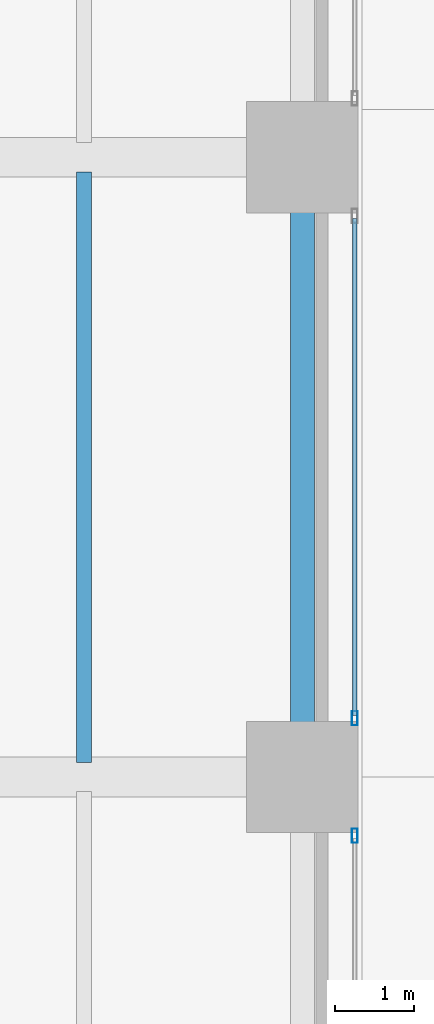
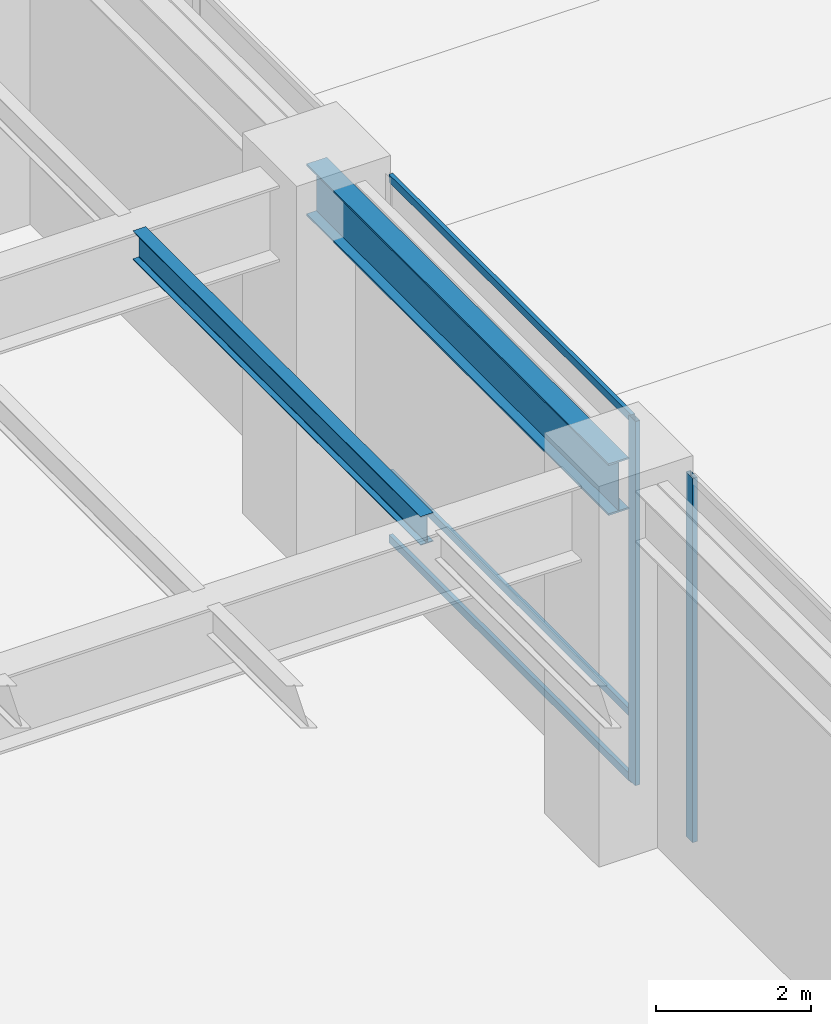
# One storey, part 4 of 28: 5 members, 2 beams, 2 elements without a shape of their own.
"""IFC4 building model written with IfcOpenShell, lengths in metres."""

from ifc_helpers import new_model, si_unit, direction, frame, origin, origin_2d, place, context, subcontext, project, spatial, hollow_rectangle, i_section, extrude, source, transform, mapped, material, layer, layer_set, material_profile, profile_set, type_object, type_shapes, element, aggregate, save


model = new_model("IFC4")

# Units and contexts
model_context = context("Model", 3, precision=1e-05, world=origin(), true_north=direction((0.0, 1.0)))
body_context = subcontext(model_context, "Body", "Model", "MODEL_VIEW")
ifc_project = project(units=[si_unit("LENGTHUNIT", "METRE"), si_unit("AREAUNIT", "SQUARE_METRE"), si_unit("VOLUMEUNIT", "CUBIC_METRE"), si_unit("PLANEANGLEUNIT", "RADIAN"), si_unit("MASSUNIT", "GRAM", prefix="KILO")], contexts=[model_context])

# Site, building, storey
site_placement = place(None, origin())
site = spatial("IfcSite", under=ifc_project, at=site_placement, CompositionType="ELEMENT")
building_placement = place(site_placement, origin())
building = spatial("IfcBuilding", under=site, at=building_placement, Name="Tolvann Quenvar Hotel", CompositionType="ELEMENT")
storey_placement = place(building_placement, origin())
storey = spatial("IfcBuildingStorey", under=building, at=storey_placement, Name="L00", CompositionType="ELEMENT", Elevation=0.0)

# Beams
ifc_material_1 = material(Name="Steel Grade 350", Category="steel")
ifc_material_profile_1 = material_profile(ifc_material_1, i_section(OverallWidth=0.300048828125, OverallDepth=0.81591796875, WebThickness=0.010009765625, FlangeThickness=0.028076171875, at=origin_2d()), Name="800WB192")
ifc_profile_set_1 = profile_set([ifc_material_profile_1], Name="Steel Grade 350")
beam_type_1 = type_object("IfcBeamType", Name="BM_GIRD_800WB192", PredefinedType="BEAM", material=ifc_profile_set_1)
shared_shape_1 = source(origin(), body_context, "Body", "SweptSolid", [
    extrude(i_section(OverallWidth=0.300048828125, OverallDepth=0.81591796875, WebThickness=0.010009765625, FlangeThickness=0.028076171875, at=origin_2d()), origin(), (0.0, 0.0, 1.0), 7.800048828125),
])
type_shapes(beam_type_1, [shared_shape_1])
beam_1_placement = place(storey_placement, frame((18.75, 8.199951171875, 5.33203125), z_axis=(0.0, 1.0, 0.0), x_axis=(-1.0, 0.0, 0.0)))
element("IfcBeam", 1, at=beam_1_placement, inside=storey, type_object=beam_type_1, Name="BM-L00-NS-APW-1", PredefinedType="BEAM", context=body_context, shape_type="MappedRepresentation", body=[
    mapped(shared_shape_1, transform((0.0, 0.0, 0.0), x_axis=(1.0, 0.0, 0.0), y_axis=(0.0, 1.0, 0.0), z_axis=(0.0, 0.0, 1.0), scale=1.0)),
])
ifc_material_profile_2 = material_profile(ifc_material_1, i_section(OverallWidth=0.18994140625, OverallDepth=0.4541015625, WebThickness=0.008544921875, FlangeThickness=0.0126953125, FilletRadius=0.011474609375, at=origin_2d()), Name="460UB67")
ifc_profile_set_2 = profile_set([ifc_material_profile_2], Name="Steel Grade 350")
beam_type_2 = type_object("IfcBeamType", Name="BM_JOIST_460UB67", PredefinedType="JOIST", material=ifc_profile_set_2)
shared_shape_2 = source(origin(), body_context, "Body", "SweptSolid", [
    extrude(i_section(OverallWidth=0.18994140625, OverallDepth=0.4541015625, WebThickness=0.008544921875, FlangeThickness=0.0126953125, FilletRadius=0.011474609375, at=origin_2d()), origin(), (0.0, 0.0, 1.0), 7.429931640625),
])
type_shapes(beam_type_2, [shared_shape_2])
beam_2_placement = place(storey_placement, frame((16.0, 8.385009765625, 5.512939453125), z_axis=(0.0, 1.0, 0.0), x_axis=(-1.0, 0.0, 0.0)))
element("IfcBeam", 2, at=beam_2_placement, inside=storey, type_object=beam_type_2, Name="BJ-L00-160-82", PredefinedType="JOIST", context=body_context, shape_type="MappedRepresentation", body=[
    mapped(shared_shape_2, transform((0.0, 0.0, 0.0), x_axis=(1.0, 0.0, 0.0), y_axis=(0.0, 1.0, 0.0), z_axis=(0.0, 0.0, 1.0), scale=1.0)),
])

# Curtain wall, member
ifc_material_2 = material(Name="Thermally broken anodised architectural aluminium 6063-T6 and laminated low-E glass", Category="aluminium")
ifc_layer = layer(ifc_material_2, 0.179931640625)
ifc_layer_set = layer_set([ifc_layer], Name="Thermally broken anodised architectural aluminium 6063-T6 and laminated low-E glass")
curtain_wall_type = type_object("IfcCurtainWallType", Name="CW_SYS_ARCH_01", PredefinedType="USERDEFINED", material=ifc_layer_set)
curtain_wall_1_placement = place(storey_placement, origin())
curtain_wall_1 = element("IfcCurtainWall", 3, at=curtain_wall_1_placement, inside=storey, type_object=curtain_wall_type, Name="Curtain Wall CW-ARCH-01 (CWR-L00-E01-S2)", ObjectType="UNITISED CURTAIN WALL", PredefinedType="USERDEFINED")
ifc_material_3 = material(Name="Anodised architectural aluminium 6063-T6 framing", Category="aluminium")
ifc_material_profile_3 = material_profile(ifc_material_3, hollow_rectangle(XDim=0.070068359375, YDim=0.179931640625, WallThickness=0.00390625, at=origin_2d()), Name="180x70x4RHS")
ifc_profile_set_3 = profile_set([ifc_material_profile_3], Name="Anodised architectural aluminium 6063-T6 framing")
member_type_1 = type_object("IfcMemberType", Name="CW_MULL_180x70", PredefinedType="MULLION", material=ifc_profile_set_3)
shared_shape_3 = source(origin(), body_context, "Body", "SweptSolid", [
    extrude(hollow_rectangle(XDim=0.070068359375, YDim=0.179931640625, WallThickness=0.00390625, at=origin_2d()), origin(), (0.0, 0.0, 1.0), 5.739990234375),
])
type_shapes(member_type_1, [shared_shape_3])
member_1_placement = place(storey_placement, frame((19.409912109375, 7.4609375, 0.0), z_axis=(0.0, 0.0, 1.0), x_axis=(-1.0, 0.0, 0.0)))
member_1 = element("IfcMember", 4, at=member_1_placement, type_object=member_type_1, Name="CW-ARCH-01 mullion 2", PredefinedType="MULLION", context=body_context, shape_type="MappedRepresentation", body=[
    mapped(shared_shape_3, transform((0.0, 0.0, 0.0), x_axis=(1.0, 0.0, 0.0), y_axis=(0.0, 1.0, 0.0), z_axis=(0.0, 0.0, 1.0), scale=1.0)),
])
aggregate(curtain_wall_1, [member_1])

# Curtain wall, members
curtain_wall_2_placement = place(storey_placement, origin())
curtain_wall_2 = element("IfcCurtainWall", 5, at=curtain_wall_2_placement, inside=storey, type_object=curtain_wall_type, Name="Curtain Wall CW-ARCH-01 (CWR-L00-E01-S3)", ObjectType="UNITISED CURTAIN WALL", PredefinedType="USERDEFINED")
member_2_placement = place(storey_placement, frame((19.409912109375, 8.93896484375, 0.0), z_axis=(0.0, 0.0, 1.0), x_axis=(-1.0, 0.0, 0.0)))
member_2 = element("IfcMember", 6, at=member_2_placement, type_object=member_type_1, Name="CW-ARCH-01 mullion 1", PredefinedType="MULLION", context=body_context, shape_type="MappedRepresentation", body=[
    mapped(shared_shape_3, transform((0.0, 0.0, 0.0), x_axis=(1.0, 0.0, 0.0), y_axis=(0.0, 1.0, 0.0), z_axis=(0.0, 0.0, 1.0), scale=1.0)),
])
ifc_material_profile_4 = material_profile(ifc_material_3, hollow_rectangle(XDim=0.06005859375, YDim=0.1201171875, WallThickness=0.00341796875, at=origin_2d()), Name="120x60x3.5RHS")
ifc_profile_set_4 = profile_set([ifc_material_profile_4], Name="Anodised architectural aluminium 6063-T6 framing")
member_type_2 = type_object("IfcMemberType", Name="CW_TRAN_120x60", PredefinedType="USERDEFINED", material=ifc_profile_set_4)
shared_shape_4 = source(origin(), body_context, "Body", "SweptSolid", [
    extrude(hollow_rectangle(XDim=0.06005859375, YDim=0.1201171875, WallThickness=0.00341796875, at=origin_2d()), origin(), (0.0, 0.0, 1.0), 6.251953125),
])
type_shapes(member_type_2, [shared_shape_4])
member_3_placement = place(storey_placement, frame((19.409912109375, 8.97412109375, 0.030029296875), z_axis=(0.0, 1.0, 0.0), x_axis=(-1.0, 0.0, 0.0)))
member_3 = element("IfcMember", 7, at=member_3_placement, type_object=member_type_2, Name="CW-ARCH-01 transom 1.1", ObjectType="TRANSOM", PredefinedType="USERDEFINED", context=body_context, shape_type="MappedRepresentation", body=[
    mapped(shared_shape_4, transform((0.0, 0.0, 0.0), x_axis=(1.0, 0.0, 0.0), y_axis=(0.0, 1.0, 0.0), z_axis=(0.0, 0.0, 1.0), scale=1.0)),
])
member_4_placement = place(storey_placement, frame((19.409912109375, 8.97412109375, 1.050048828125), z_axis=(0.0, 1.0, 0.0), x_axis=(-1.0, 0.0, 0.0)))
member_4 = element("IfcMember", 8, at=member_4_placement, type_object=member_type_2, Name="CW-ARCH-01 transom 1.2", ObjectType="TRANSOM", PredefinedType="USERDEFINED", context=body_context, shape_type="MappedRepresentation", body=[
    mapped(shared_shape_4, transform((0.0, 0.0, 0.0), x_axis=(1.0, 0.0, 0.0), y_axis=(0.0, 1.0, 0.0), z_axis=(0.0, 0.0, 1.0), scale=1.0)),
])
member_5_placement = place(storey_placement, frame((19.409912109375, 8.97412109375, 5.7099609375), z_axis=(0.0, 1.0, 0.0), x_axis=(-1.0, 0.0, 0.0)))
member_5 = element("IfcMember", 9, at=member_5_placement, type_object=member_type_2, Name="CW-ARCH-01 transom 1.3", ObjectType="TRANSOM", PredefinedType="USERDEFINED", context=body_context, shape_type="MappedRepresentation", body=[
    mapped(shared_shape_4, transform((0.0, 0.0, 0.0), x_axis=(1.0, 0.0, 0.0), y_axis=(0.0, 1.0, 0.0), z_axis=(0.0, 0.0, 1.0), scale=1.0)),
])
aggregate(curtain_wall_2, [member_2, member_3, member_4, member_5])

save(model, "model.ifc")
